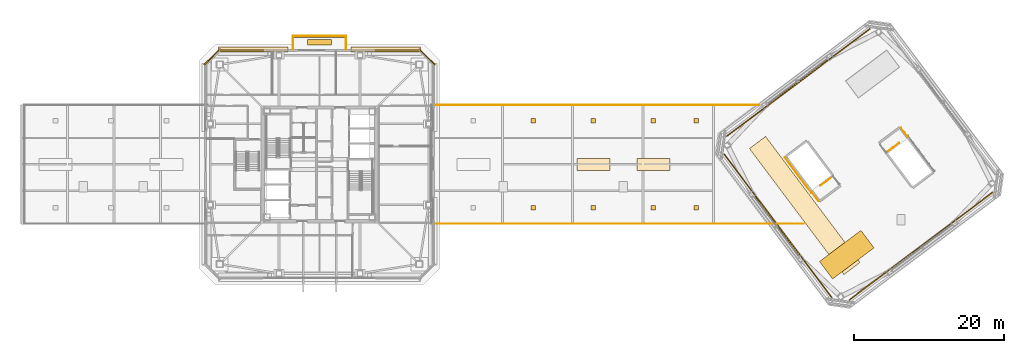
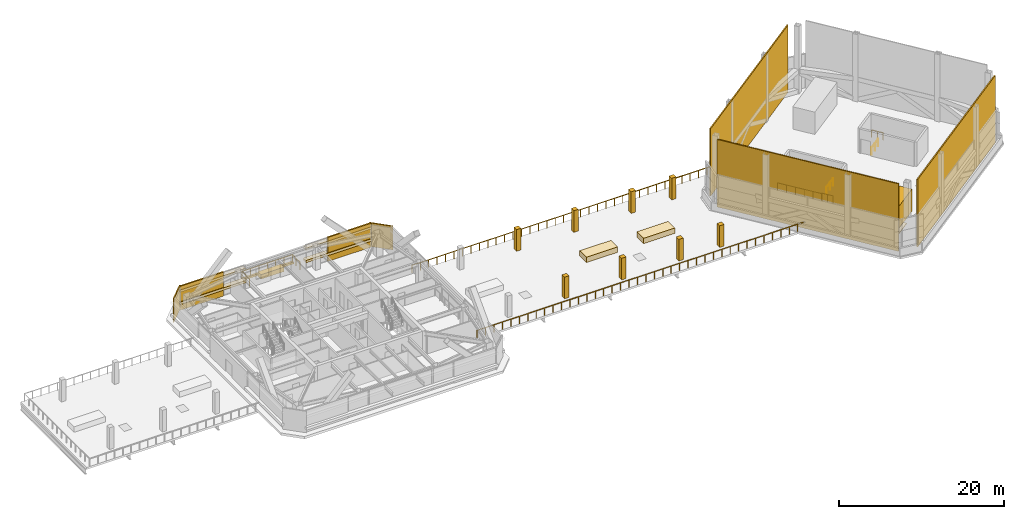
# One storey, part 35 of 37: 22 coverings, 10 railings, 3 shading devices.
"""IFC4 building model written with IfcOpenShell, lengths in metres."""

from ifc_helpers import new_model, si_unit, direction, frame, origin, origin_2d, place, context, subcontext, project, spatial, polyline, rectangle, outline, extrude, material, layer, layer_set, type_object, element, save


model = new_model("IFC4")

# Units and contexts
model_context = context("Model", 3, precision=1e-05, world=origin(), true_north=direction((0.0, 1.0)))
body_context = subcontext(model_context, "Body", "Model", "MODEL_VIEW")
ifc_project = project(units=[si_unit("LENGTHUNIT", "METRE"), si_unit("AREAUNIT", "SQUARE_METRE"), si_unit("VOLUMEUNIT", "CUBIC_METRE"), si_unit("PLANEANGLEUNIT", "RADIAN"), si_unit("MASSUNIT", "GRAM", prefix="KILO")], contexts=[model_context])

# Site, building, storey
site_placement = place(None, origin())
site = spatial("IfcSite", under=ifc_project, at=site_placement, CompositionType="ELEMENT")
building_placement = place(site_placement, origin())
building = spatial("IfcBuilding", under=site, at=building_placement, Name="Tashvorn Skyway Center", CompositionType="ELEMENT")
storey_placement = place(building_placement, frame((0.0, 0.0, 263.39990234375)))
storey = spatial("IfcBuildingStorey", under=building, at=storey_placement, Name="L71", CompositionType="ELEMENT", Elevation=263.39990234375)

# Coverings
ifc_material_1 = material(Name="Precast concrete C40/50", Category="concrete")
ifc_layer_1 = layer(ifc_material_1, 0.199951171875)
ifc_layer_set_1 = layer_set([ifc_layer_1], Name="Precast concrete C40/50")
covering_type_1 = type_object("IfcCoveringType", Name="COV-BRACE-CLAD", PredefinedType="CLADDING", material=ifc_layer_set_1)
for number, where, z_axis, x_axis, name in (
    (1, (31.663330078125, 47.179931640625, 0.0), (0.0, 0.0, 1.0), (1.0, 0.0, 0.0), "Tower 1 L71 North Curtain Wall L Mega-Brace Cladding Band 1"),
    (2, (52.336669921875, 47.179931640625, 0.0), (0.0, 0.0, 1.0), (1.0, 0.0, 0.0), "Tower 1 L71 North Curtain Wall R Mega-Brace Cladding Band 1"),
):
    element("IfcCovering", number, at=place(storey_placement, frame(where, z_axis=z_axis, x_axis=x_axis)), inside=storey, type_object=covering_type_1, Name=name, PredefinedType="CLADDING", context=body_context, shape_type="SweptSolid", body=[
        extrude(rectangle(XDim=6.086669921875, YDim=0.199951171875, at=origin_2d()), origin(), (0.0, 0.0, 1.0), 3.550048828125),
    ])
ifc_layer_2 = layer(ifc_material_1, 0.050048828125)
ifc_layer_set_2 = layer_set([ifc_layer_2], Name="Precast concrete C40/50")
covering_type_2 = type_object("IfcCoveringType", Name="COV-CLAD-50", PredefinedType="CLADDING", material=ifc_layer_set_2)
covering_1_placement = place(storey_placement, frame((112.280029296875, 19.9599609375, 0.0), z_axis=(0.0, 0.0, 1.0), x_axis=(0.799999996291, 0.600000004945, 0.0)))
element("IfcCovering", 3, at=covering_1_placement, inside=storey, type_object=covering_type_2, Name="Tower 2 Crown Chiller Acoustic Enclosure 1", PredefinedType="CLADDING", context=body_context, shape_type="SweptSolid", body=[
    extrude(rectangle(XDim=6.89990234375, YDim=2.89990234375, at=origin_2d()), origin(), (0.0, 0.0, 1.0), 3.300048828125),
])
ifc_material_2 = material(Name="Inverted EPDM membrane and extruded polystyrene insulation")
ifc_layer_3 = layer(ifc_material_2, 0.080078125)
ifc_layer_set_3 = layer_set([ifc_layer_3], Name="Inverted EPDM membrane and extruded polystyrene insulation")
covering_type_3 = type_object("IfcCoveringType", Name="COV-ROOF-80", PredefinedType="ROOFING", material=ifc_layer_set_3)
covering_2_placement = place(storey_placement, origin())
element("IfcCovering", 4, at=covering_2_placement, inside=storey, type_object=covering_type_3, Name="Tower 2 Main Roof Insulated Membrane", PredefinedType="ROOFING", context=body_context, shape_type="SweptSolid", body=[
    extrude(outline(polyline([(111.89990234375, 17.300048828125), (114.06005859375, 18.919921875), (101.4599609375, 35.719970703125), (99.300048828125, 34.10009765625), (111.89990234375, 17.300048828125)])), origin(), (0.0, 0.0, 1.0), 0.080078125),
])
ifc_material_3 = material(Name="Perforated ceramic-coated bronze aluminium solar screen", Category="aluminium")
ifc_layer_4 = layer(ifc_material_3, 0.85009765625)
ifc_layer_set_4 = layer_set([ifc_layer_4], Name="Perforated ceramic-coated bronze aluminium solar screen")
covering_type_4 = type_object("IfcCoveringType", Name="COV-SOLAR-BAND", PredefinedType="CLADDING", material=ifc_layer_set_4)
for number, where, z_axis, x_axis, name in (
    (5, (33.18505859375, 47.320068359375, 0.919921875), (0.0, 0.0, 1.0), (1.0, 0.0, 0.0), "L71 Perforated Ceramic-Metal Solar Screen Louvre Band North 1"),
    (6, (33.18505859375, 47.320068359375, 2.72021484375), (0.0, 0.0, 1.0), (1.0, 0.0, 0.0), "L71 Perforated Ceramic-Metal Solar Screen Louvre Band North 2"),
    (7, (50.81494140625, 47.320068359375, 0.919921875), (0.0, 0.0, 1.0), (1.0, 0.0, 0.0), "L71 Perforated Ceramic-Metal Solar Screen Louvre Band North 1"),
    (8, (50.81494140625, 47.320068359375, 2.72021484375), (0.0, 0.0, 1.0), (1.0, 0.0, 0.0), "L71 Perforated Ceramic-Metal Solar Screen Louvre Band North 2"),
):
    element("IfcCovering", number, at=place(storey_placement, frame(where, z_axis=z_axis, x_axis=x_axis)), inside=storey, type_object=covering_type_4, Name=name, PredefinedType="CLADDING", context=body_context, shape_type="SweptSolid", body=[
        extrude(rectangle(XDim=9.25, YDim=0.639892578125, at=origin_2d()), origin(), (0.0, 0.0, 1.0), 0.360107421875),
    ])
ifc_layer_5 = layer(ifc_material_1, 0.35009765625)
ifc_layer_set_5 = layer_set([ifc_layer_5], Name="Precast concrete C40/50")
covering_type_5 = type_object("IfcCoveringType", Name="COV-STONE-TRIM", PredefinedType="CLADDING", material=ifc_layer_set_5)
covering_3_placement = place(storey_placement, frame((42.0, 49.06005859375, -0.16015625), z_axis=(0.0, 0.0, 1.0), x_axis=(1.0, 0.0, 0.0)))
element("IfcCovering", 9, at=covering_3_placement, inside=storey, type_object=covering_type_5, Name="Tower 1 L71 Spiral Terrace Terracotta Fascia", PredefinedType="CLADDING", context=body_context, shape_type="SweptSolid", body=[
    extrude(rectangle(XDim=7.199951171875, YDim=0.280029296875, at=origin_2d()), origin(), (0.0, 0.0, 1.0), 0.280029296875),
])
covering_4_placement = place(storey_placement, frame((42.0, 48.25, 0.0), z_axis=(0.0, 0.0, 1.0), x_axis=(1.0, 0.0, 0.0)))
element("IfcCovering", 10, at=covering_4_placement, inside=storey, type_object=covering_type_5, Name="Tower 1 L71 Spiral Terrace Planter", PredefinedType="CLADDING", context=body_context, shape_type="SweptSolid", body=[
    extrude(rectangle(XDim=3.199951171875, YDim=0.75, at=origin_2d()), origin(), (0.0, 0.0, 1.0), 0.679931640625),
])
for number, where, z_axis, x_axis, name in (
    (11, (27.679931640625, 46.320068359375, 0.02001953125), (0.0, 0.0, 1.0), (-0.707106781187, -0.707106781187, 0.0), "Tower 1 L71 NW Mojave Limestone Corner Quoin"),
    (12, (56.320068359375, 46.320068359375, 0.02001953125), (0.0, 0.0, 1.0), (0.707106781187, -0.707106781187, 0.0), "Tower 1 L71 NE Mojave Limestone Corner Quoin"),
):
    element("IfcCovering", number, at=place(storey_placement, frame(where, z_axis=z_axis, x_axis=x_axis)), inside=storey, type_object=covering_type_5, Name=name, PredefinedType="CLADDING", context=body_context, shape_type="SweptSolid", body=[
        extrude(rectangle(XDim=2.98828125, YDim=0.139892578125, at=origin_2d()), origin(), (0.0, 0.0, 1.0), 3.510009765625),
    ])
for number, where, z_axis, x_axis, name in (
    (13, (70.5, 26.199951171875, 0.0), (0.0, 0.0, 1.0), (1.0, 0.0, 0.0), "Sky-Park Promenade Pergola Stone Column Cladding 5-1"),
    (14, (70.5, 37.800048828125, 0.0), (0.0, 0.0, 1.0), (1.0, 0.0, 0.0), "Sky-Park Promenade Pergola Stone Column Cladding 5-2"),
    (15, (78.5, 26.199951171875, 0.0), (0.0, 0.0, 1.0), (1.0, 0.0, 0.0), "Sky-Park Promenade Pergola Stone Column Cladding 6-1"),
    (16, (78.5, 37.800048828125, 0.0), (0.0, 0.0, 1.0), (1.0, 0.0, 0.0), "Sky-Park Promenade Pergola Stone Column Cladding 6-2"),
):
    element("IfcCovering", number, at=place(storey_placement, frame(where, z_axis=z_axis, x_axis=x_axis)), inside=storey, type_object=covering_type_5, Name=name, PredefinedType="CLADDING", context=body_context, shape_type="SweptSolid", body=[
        extrude(rectangle(XDim=0.6201171875, YDim=0.6201171875, at=origin_2d()), origin(), (0.0, 0.0, 1.0), 3.199951171875),
    ])
covering_5_placement = place(storey_placement, frame((78.5, 32.0, 0.0), z_axis=(0.0, 0.0, 1.0), x_axis=(1.0, 0.0, 0.0)))
element("IfcCovering", 17, at=covering_5_placement, inside=storey, type_object=covering_type_5, Name="Sky-Park Promenade Xeriscape Planter Bed 6", PredefinedType="CLADDING", context=body_context, shape_type="SweptSolid", body=[
    extrude(rectangle(XDim=4.39990234375, YDim=1.60009765625, at=origin_2d()), origin(), (0.0, 0.0, 1.0), 0.800048828125),
])
for number, where, z_axis, x_axis, name in (
    (18, (86.5, 26.199951171875, 0.0), (0.0, 0.0, 1.0), (1.0, 0.0, 0.0), "Sky-Park Promenade Pergola Stone Column Cladding 7-1"),
    (19, (86.5, 37.800048828125, 0.0), (0.0, 0.0, 1.0), (1.0, 0.0, 0.0), "Sky-Park Promenade Pergola Stone Column Cladding 7-2"),
):
    element("IfcCovering", number, at=place(storey_placement, frame(where, z_axis=z_axis, x_axis=x_axis)), inside=storey, type_object=covering_type_5, Name=name, PredefinedType="CLADDING", context=body_context, shape_type="SweptSolid", body=[
        extrude(rectangle(XDim=0.6201171875, YDim=0.6201171875, at=origin_2d()), origin(), (0.0, 0.0, 1.0), 3.199951171875),
    ])
covering_6_placement = place(storey_placement, frame((86.5, 32.0, 0.0), z_axis=(0.0, 0.0, 1.0), x_axis=(1.0, 0.0, 0.0)))
element("IfcCovering", 20, at=covering_6_placement, inside=storey, type_object=covering_type_5, Name="Sky-Park Promenade Xeriscape Planter Bed 7", PredefinedType="CLADDING", context=body_context, shape_type="SweptSolid", body=[
    extrude(rectangle(XDim=4.39990234375, YDim=1.60009765625, at=origin_2d()), origin(), (0.0, 0.0, 1.0), 0.800048828125),
])
for number, where, z_axis, x_axis, name in (
    (21, (92.199951171875, 26.199951171875, 0.0), (0.0, 0.0, 1.0), (1.0, 0.0, 0.0), "Sky-Park Promenade Pergola Stone Column Cladding 8-1"),
    (22, (92.199951171875, 37.800048828125, 0.0), (0.0, 0.0, 1.0), (1.0, 0.0, 0.0), "Sky-Park Promenade Pergola Stone Column Cladding 8-2"),
):
    element("IfcCovering", number, at=place(storey_placement, frame(where, z_axis=z_axis, x_axis=x_axis)), inside=storey, type_object=covering_type_5, Name=name, PredefinedType="CLADDING", context=body_context, shape_type="SweptSolid", body=[
        extrude(rectangle(XDim=0.6201171875, YDim=0.6201171875, at=origin_2d()), origin(), (0.0, 0.0, 1.0), 3.199951171875),
    ])

# Railings
ifc_material_4 = material(Name="Galvanized steel S355", Category="steel")
railing_type_1 = type_object("IfcRailingType", Name="RAIL-GUARD-1120", PredefinedType="GUARDRAIL", material=ifc_material_4)
railing_1_placement = place(storey_placement, frame((38.47998046875, 47.300048828125, 0.0)))
element("IfcRailing", 23, at=railing_1_placement, inside=storey, type_object=railing_type_1, Name="L71 Tower 1 Terrace Guardrail 01", PredefinedType="GUARDRAIL", context=body_context, shape_type="SweptSolid", body=[
    extrude(rectangle(XDim=0.048095703125, YDim=0.048095703125, at=origin_2d()), frame((0.0, 0.0, 1.09619140625), z_axis=(0.0, 1.0, 0.0), x_axis=(-1.0, 0.0, 0.0)), (0.0, 0.0, 1.0), 1.820068359375),
    extrude(rectangle(XDim=0.0419921875, YDim=0.0419921875, at=origin_2d()), origin(), (0.0, 0.0, 1.0), 1.072021484375),
    extrude(rectangle(XDim=0.0419921875, YDim=0.0419921875, at=origin_2d()), frame((0.0, 0.91015625, 0.0)), (0.0, 0.0, 1.0), 1.072021484375),
    extrude(rectangle(XDim=0.0419921875, YDim=0.0419921875, at=origin_2d()), frame((0.0, 1.820068359375, 0.0)), (0.0, 0.0, 1.0), 1.072021484375),
])
railing_2_placement = place(storey_placement, frame((38.47998046875, 49.1201171875, 0.0)))
element("IfcRailing", 24, at=railing_2_placement, inside=storey, type_object=railing_type_1, Name="L71 Tower 1 Terrace Guardrail 02", PredefinedType="GUARDRAIL", context=body_context, shape_type="SweptSolid", body=[
    extrude(rectangle(XDim=0.048095703125, YDim=0.048095703125, at=origin_2d()), frame((0.0, 0.0, 1.09619140625), z_axis=(1.0, 0.0, 0.0), x_axis=(0.0, 1.0, 0.0)), (0.0, 0.0, 1.0), 7.0400390625),
    extrude(rectangle(XDim=0.0419921875, YDim=0.0419921875, at=origin_2d()), origin(), (0.0, 0.0, 1.0), 1.072021484375),
    extrude(rectangle(XDim=0.0419921875, YDim=0.0419921875, at=origin_2d()), frame((1.17333984375, 0.0, 0.0)), (0.0, 0.0, 1.0), 1.072021484375),
    extrude(rectangle(XDim=0.0419921875, YDim=0.0419921875, at=origin_2d()), frame((2.3466796875, 0.0, 0.0)), (0.0, 0.0, 1.0), 1.072021484375),
    extrude(rectangle(XDim=0.0419921875, YDim=0.0419921875, at=origin_2d()), frame((3.52001953125, 0.0, 0.0)), (0.0, 0.0, 1.0), 1.072021484375),
    extrude(rectangle(XDim=0.0419921875, YDim=0.0419921875, at=origin_2d()), frame((4.693359375, 0.0, 0.0)), (0.0, 0.0, 1.0), 1.072021484375),
    extrude(rectangle(XDim=0.0419921875, YDim=0.0419921875, at=origin_2d()), frame((5.86669921875, 0.0, 0.0)), (0.0, 0.0, 1.0), 1.072021484375),
    extrude(rectangle(XDim=0.0419921875, YDim=0.0419921875, at=origin_2d()), frame((7.0400390625, 0.0, 0.0)), (0.0, 0.0, 1.0), 1.072021484375),
])
railing_3_placement = place(storey_placement, frame((45.52001953125, 49.1201171875, 0.0)))
element("IfcRailing", 25, at=railing_3_placement, inside=storey, type_object=railing_type_1, Name="L71 Tower 1 Terrace Guardrail 03", PredefinedType="GUARDRAIL", context=body_context, shape_type="SweptSolid", body=[
    extrude(rectangle(XDim=0.048095703125, YDim=0.048095703125, at=origin_2d()), frame((0.0, 0.0, 1.09619140625), z_axis=(0.0, -1.0, 0.0), x_axis=(1.0, 0.0, 0.0)), (0.0, 0.0, 1.0), 1.820068359375),
    extrude(rectangle(XDim=0.0419921875, YDim=0.0419921875, at=origin_2d()), origin(), (0.0, 0.0, 1.0), 1.072021484375),
    extrude(rectangle(XDim=0.0419921875, YDim=0.0419921875, at=origin_2d()), frame((0.0, -0.91015625, 0.0)), (0.0, 0.0, 1.0), 1.072021484375),
    extrude(rectangle(XDim=0.0419921875, YDim=0.0419921875, at=origin_2d()), frame((0.0, -1.820068359375, 0.0)), (0.0, 0.0, 1.0), 1.072021484375),
])
railing_4_placement = place(storey_placement, frame((106.5, 24.080078125, 0.0)))
element("IfcRailing", 26, at=railing_4_placement, inside=storey, type_object=railing_type_1, Name="L71 Sky-Park East Promenade Balustrade 01", PredefinedType="GUARDRAIL", context=body_context, shape_type="SweptSolid", body=[
    extrude(rectangle(XDim=0.048095703125, YDim=0.048095703125, at=origin_2d()), frame((0.0, 0.0, 1.09619140625), z_axis=(-1.0, 0.0, 0.0), x_axis=(0.0, -1.0, 0.0)), (0.0, 0.0, 1.0), 49.580078125),
    extrude(rectangle(XDim=0.0419921875, YDim=0.0419921875, at=origin_2d()), origin(), (0.0, 0.0, 1.0), 1.072021484375),
    extrude(rectangle(XDim=0.0419921875, YDim=0.0419921875, at=origin_2d()), frame((-1.180419921875, 0.0, 0.0)), (0.0, 0.0, 1.0), 1.072021484375),
    extrude(rectangle(XDim=0.0419921875, YDim=0.0419921875, at=origin_2d()), frame((-2.36083984375, 0.0, 0.0)), (0.0, 0.0, 1.0), 1.072021484375),
    extrude(rectangle(XDim=0.0419921875, YDim=0.0419921875, at=origin_2d()), frame((-3.54150390625, 0.0, 0.0)), (0.0, 0.0, 1.0), 1.072021484375),
    extrude(rectangle(XDim=0.0419921875, YDim=0.0419921875, at=origin_2d()), frame((-4.721923828125, 0.0, 0.0)), (0.0, 0.0, 1.0), 1.072021484375),
    extrude(rectangle(XDim=0.0419921875, YDim=0.0419921875, at=origin_2d()), frame((-5.90234375, 0.0, 0.0)), (0.0, 0.0, 1.0), 1.072021484375),
    extrude(rectangle(XDim=0.0419921875, YDim=0.0419921875, at=origin_2d()), frame((-7.082763671875, 0.0, 0.0)), (0.0, 0.0, 1.0), 1.072021484375),
    extrude(rectangle(XDim=0.0419921875, YDim=0.0419921875, at=origin_2d()), frame((-8.263427734375, 0.0, 0.0)), (0.0, 0.0, 1.0), 1.072021484375),
    extrude(rectangle(XDim=0.0419921875, YDim=0.0419921875, at=origin_2d()), frame((-9.44384765625, 0.0, 0.0)), (0.0, 0.0, 1.0), 1.072021484375),
    extrude(rectangle(XDim=0.0419921875, YDim=0.0419921875, at=origin_2d()), frame((-10.624267578125, 0.0, 0.0)), (0.0, 0.0, 1.0), 1.072021484375),
    extrude(rectangle(XDim=0.0419921875, YDim=0.0419921875, at=origin_2d()), frame((-11.8046875, 0.0, 0.0)), (0.0, 0.0, 1.0), 1.072021484375),
    extrude(rectangle(XDim=0.0419921875, YDim=0.0419921875, at=origin_2d()), frame((-12.9853515625, 0.0, 0.0)), (0.0, 0.0, 1.0), 1.072021484375),
    extrude(rectangle(XDim=0.0419921875, YDim=0.0419921875, at=origin_2d()), frame((-14.165771484375, 0.0, 0.0)), (0.0, 0.0, 1.0), 1.072021484375),
    extrude(rectangle(XDim=0.0419921875, YDim=0.0419921875, at=origin_2d()), frame((-15.34619140625, 0.0, 0.0)), (0.0, 0.0, 1.0), 1.072021484375),
    extrude(rectangle(XDim=0.0419921875, YDim=0.0419921875, at=origin_2d()), frame((-16.526611328125, 0.0, 0.0)), (0.0, 0.0, 1.0), 1.072021484375),
    extrude(rectangle(XDim=0.0419921875, YDim=0.0419921875, at=origin_2d()), frame((-17.707275390625, 0.0, 0.0)), (0.0, 0.0, 1.0), 1.072021484375),
    extrude(rectangle(XDim=0.0419921875, YDim=0.0419921875, at=origin_2d()), frame((-18.8876953125, 0.0, 0.0)), (0.0, 0.0, 1.0), 1.072021484375),
    extrude(rectangle(XDim=0.0419921875, YDim=0.0419921875, at=origin_2d()), frame((-20.068115234375, 0.0, 0.0)), (0.0, 0.0, 1.0), 1.072021484375),
    extrude(rectangle(XDim=0.0419921875, YDim=0.0419921875, at=origin_2d()), frame((-21.24853515625, 0.0, 0.0)), (0.0, 0.0, 1.0), 1.072021484375),
    extrude(rectangle(XDim=0.0419921875, YDim=0.0419921875, at=origin_2d()), frame((-22.42919921875, 0.0, 0.0)), (0.0, 0.0, 1.0), 1.072021484375),
    extrude(rectangle(XDim=0.0419921875, YDim=0.0419921875, at=origin_2d()), frame((-23.609619140625, 0.0, 0.0)), (0.0, 0.0, 1.0), 1.072021484375),
    extrude(rectangle(XDim=0.0419921875, YDim=0.0419921875, at=origin_2d()), frame((-24.7900390625, 0.0, 0.0)), (0.0, 0.0, 1.0), 1.072021484375),
    extrude(rectangle(XDim=0.0419921875, YDim=0.0419921875, at=origin_2d()), frame((-25.970458984375, 0.0, 0.0)), (0.0, 0.0, 1.0), 1.072021484375),
    extrude(rectangle(XDim=0.0419921875, YDim=0.0419921875, at=origin_2d()), frame((-27.15087890625, 0.0, 0.0)), (0.0, 0.0, 1.0), 1.072021484375),
    extrude(rectangle(XDim=0.0419921875, YDim=0.0419921875, at=origin_2d()), frame((-28.33154296875, 0.0, 0.0)), (0.0, 0.0, 1.0), 1.072021484375),
    extrude(rectangle(XDim=0.0419921875, YDim=0.0419921875, at=origin_2d()), frame((-29.511962890625, 0.0, 0.0)), (0.0, 0.0, 1.0), 1.072021484375),
    extrude(rectangle(XDim=0.0419921875, YDim=0.0419921875, at=origin_2d()), frame((-30.6923828125, 0.0, 0.0)), (0.0, 0.0, 1.0), 1.072021484375),
    extrude(rectangle(XDim=0.0419921875, YDim=0.0419921875, at=origin_2d()), frame((-31.872802734375, 0.0, 0.0)), (0.0, 0.0, 1.0), 1.072021484375),
    extrude(rectangle(XDim=0.0419921875, YDim=0.0419921875, at=origin_2d()), frame((-33.053466796875, 0.0, 0.0)), (0.0, 0.0, 1.0), 1.072021484375),
    extrude(rectangle(XDim=0.0419921875, YDim=0.0419921875, at=origin_2d()), frame((-34.23388671875, 0.0, 0.0)), (0.0, 0.0, 1.0), 1.072021484375),
    extrude(rectangle(XDim=0.0419921875, YDim=0.0419921875, at=origin_2d()), frame((-35.414306640625, 0.0, 0.0)), (0.0, 0.0, 1.0), 1.072021484375),
    extrude(rectangle(XDim=0.0419921875, YDim=0.0419921875, at=origin_2d()), frame((-36.5947265625, 0.0, 0.0)), (0.0, 0.0, 1.0), 1.072021484375),
    extrude(rectangle(XDim=0.0419921875, YDim=0.0419921875, at=origin_2d()), frame((-37.775390625, 0.0, 0.0)), (0.0, 0.0, 1.0), 1.072021484375),
    extrude(rectangle(XDim=0.0419921875, YDim=0.0419921875, at=origin_2d()), frame((-38.955810546875, 0.0, 0.0)), (0.0, 0.0, 1.0), 1.072021484375),
    extrude(rectangle(XDim=0.0419921875, YDim=0.0419921875, at=origin_2d()), frame((-40.13623046875, 0.0, 0.0)), (0.0, 0.0, 1.0), 1.072021484375),
    extrude(rectangle(XDim=0.0419921875, YDim=0.0419921875, at=origin_2d()), frame((-41.316650390625, 0.0, 0.0)), (0.0, 0.0, 1.0), 1.072021484375),
    extrude(rectangle(XDim=0.0419921875, YDim=0.0419921875, at=origin_2d()), frame((-42.497314453125, 0.0, 0.0)), (0.0, 0.0, 1.0), 1.072021484375),
    extrude(rectangle(XDim=0.0419921875, YDim=0.0419921875, at=origin_2d()), frame((-43.677734375, 0.0, 0.0)), (0.0, 0.0, 1.0), 1.072021484375),
    extrude(rectangle(XDim=0.0419921875, YDim=0.0419921875, at=origin_2d()), frame((-44.858154296875, 0.0, 0.0)), (0.0, 0.0, 1.0), 1.072021484375),
    extrude(rectangle(XDim=0.0419921875, YDim=0.0419921875, at=origin_2d()), frame((-46.03857421875, 0.0, 0.0)), (0.0, 0.0, 1.0), 1.072021484375),
    extrude(rectangle(XDim=0.0419921875, YDim=0.0419921875, at=origin_2d()), frame((-47.21923828125, 0.0, 0.0)), (0.0, 0.0, 1.0), 1.072021484375),
    extrude(rectangle(XDim=0.0419921875, YDim=0.0419921875, at=origin_2d()), frame((-48.399658203125, 0.0, 0.0)), (0.0, 0.0, 1.0), 1.072021484375),
    extrude(rectangle(XDim=0.0419921875, YDim=0.0419921875, at=origin_2d()), frame((-49.580078125, 0.0, 0.0)), (0.0, 0.0, 1.0), 1.072021484375),
])
railing_5_placement = place(storey_placement, frame((56.919921875, 39.919921875, 0.0)))
element("IfcRailing", 27, at=railing_5_placement, inside=storey, type_object=railing_type_1, Name="L71 Sky-Park East Promenade Balustrade 03", PredefinedType="GUARDRAIL", context=body_context, shape_type="SweptSolid", body=[
    extrude(rectangle(XDim=0.048095703125, YDim=0.048095703125, at=origin_2d()), frame((0.0, 0.0, 1.09619140625), z_axis=(1.0, 0.0, 0.0), x_axis=(0.0, 1.0, 0.0)), (0.0, 0.0, 1.0), 43.68017578125),
    extrude(rectangle(XDim=0.0419921875, YDim=0.0419921875, at=origin_2d()), origin(), (0.0, 0.0, 1.0), 1.072021484375),
    extrude(rectangle(XDim=0.0419921875, YDim=0.0419921875, at=origin_2d()), frame((1.1806640625, 0.0, 0.0)), (0.0, 0.0, 1.0), 1.072021484375),
    extrude(rectangle(XDim=0.0419921875, YDim=0.0419921875, at=origin_2d()), frame((2.361083984375, 0.0, 0.0)), (0.0, 0.0, 1.0), 1.072021484375),
    extrude(rectangle(XDim=0.0419921875, YDim=0.0419921875, at=origin_2d()), frame((3.541748046875, 0.0, 0.0)), (0.0, 0.0, 1.0), 1.072021484375),
    extrude(rectangle(XDim=0.0419921875, YDim=0.0419921875, at=origin_2d()), frame((4.72216796875, 0.0, 0.0)), (0.0, 0.0, 1.0), 1.072021484375),
    extrude(rectangle(XDim=0.0419921875, YDim=0.0419921875, at=origin_2d()), frame((5.90283203125, 0.0, 0.0)), (0.0, 0.0, 1.0), 1.072021484375),
    extrude(rectangle(XDim=0.0419921875, YDim=0.0419921875, at=origin_2d()), frame((7.083251953125, 0.0, 0.0)), (0.0, 0.0, 1.0), 1.072021484375),
    extrude(rectangle(XDim=0.0419921875, YDim=0.0419921875, at=origin_2d()), frame((8.263916015625, 0.0, 0.0)), (0.0, 0.0, 1.0), 1.072021484375),
    extrude(rectangle(XDim=0.0419921875, YDim=0.0419921875, at=origin_2d()), frame((9.4443359375, 0.0, 0.0)), (0.0, 0.0, 1.0), 1.072021484375),
    extrude(rectangle(XDim=0.0419921875, YDim=0.0419921875, at=origin_2d()), frame((10.625, 0.0, 0.0)), (0.0, 0.0, 1.0), 1.072021484375),
    extrude(rectangle(XDim=0.0419921875, YDim=0.0419921875, at=origin_2d()), frame((11.805419921875, 0.0, 0.0)), (0.0, 0.0, 1.0), 1.072021484375),
    extrude(rectangle(XDim=0.0419921875, YDim=0.0419921875, at=origin_2d()), frame((12.986083984375, 0.0, 0.0)), (0.0, 0.0, 1.0), 1.072021484375),
    extrude(rectangle(XDim=0.0419921875, YDim=0.0419921875, at=origin_2d()), frame((14.16650390625, 0.0, 0.0)), (0.0, 0.0, 1.0), 1.072021484375),
    extrude(rectangle(XDim=0.0419921875, YDim=0.0419921875, at=origin_2d()), frame((15.34716796875, 0.0, 0.0)), (0.0, 0.0, 1.0), 1.072021484375),
    extrude(rectangle(XDim=0.0419921875, YDim=0.0419921875, at=origin_2d()), frame((16.527587890625, 0.0, 0.0)), (0.0, 0.0, 1.0), 1.072021484375),
    extrude(rectangle(XDim=0.0419921875, YDim=0.0419921875, at=origin_2d()), frame((17.708251953125, 0.0, 0.0)), (0.0, 0.0, 1.0), 1.072021484375),
    extrude(rectangle(XDim=0.0419921875, YDim=0.0419921875, at=origin_2d()), frame((18.888671875, 0.0, 0.0)), (0.0, 0.0, 1.0), 1.072021484375),
    extrude(rectangle(XDim=0.0419921875, YDim=0.0419921875, at=origin_2d()), frame((20.0693359375, 0.0, 0.0)), (0.0, 0.0, 1.0), 1.072021484375),
    extrude(rectangle(XDim=0.0419921875, YDim=0.0419921875, at=origin_2d()), frame((21.249755859375, 0.0, 0.0)), (0.0, 0.0, 1.0), 1.072021484375),
    extrude(rectangle(XDim=0.0419921875, YDim=0.0419921875, at=origin_2d()), frame((22.430419921875, 0.0, 0.0)), (0.0, 0.0, 1.0), 1.072021484375),
    extrude(rectangle(XDim=0.0419921875, YDim=0.0419921875, at=origin_2d()), frame((23.61083984375, 0.0, 0.0)), (0.0, 0.0, 1.0), 1.072021484375),
    extrude(rectangle(XDim=0.0419921875, YDim=0.0419921875, at=origin_2d()), frame((24.79150390625, 0.0, 0.0)), (0.0, 0.0, 1.0), 1.072021484375),
    extrude(rectangle(XDim=0.0419921875, YDim=0.0419921875, at=origin_2d()), frame((25.971923828125, 0.0, 0.0)), (0.0, 0.0, 1.0), 1.072021484375),
    extrude(rectangle(XDim=0.0419921875, YDim=0.0419921875, at=origin_2d()), frame((27.152587890625, 0.0, 0.0)), (0.0, 0.0, 1.0), 1.072021484375),
    extrude(rectangle(XDim=0.0419921875, YDim=0.0419921875, at=origin_2d()), frame((28.3330078125, 0.0, 0.0)), (0.0, 0.0, 1.0), 1.072021484375),
    extrude(rectangle(XDim=0.0419921875, YDim=0.0419921875, at=origin_2d()), frame((29.513671875, 0.0, 0.0)), (0.0, 0.0, 1.0), 1.072021484375),
    extrude(rectangle(XDim=0.0419921875, YDim=0.0419921875, at=origin_2d()), frame((30.694091796875, 0.0, 0.0)), (0.0, 0.0, 1.0), 1.072021484375),
    extrude(rectangle(XDim=0.0419921875, YDim=0.0419921875, at=origin_2d()), frame((31.874755859375, 0.0, 0.0)), (0.0, 0.0, 1.0), 1.072021484375),
    extrude(rectangle(XDim=0.0419921875, YDim=0.0419921875, at=origin_2d()), frame((33.05517578125, 0.0, 0.0)), (0.0, 0.0, 1.0), 1.072021484375),
    extrude(rectangle(XDim=0.0419921875, YDim=0.0419921875, at=origin_2d()), frame((34.23583984375, 0.0, 0.0)), (0.0, 0.0, 1.0), 1.072021484375),
    extrude(rectangle(XDim=0.0419921875, YDim=0.0419921875, at=origin_2d()), frame((35.416259765625, 0.0, 0.0)), (0.0, 0.0, 1.0), 1.072021484375),
    extrude(rectangle(XDim=0.0419921875, YDim=0.0419921875, at=origin_2d()), frame((36.596923828125, 0.0, 0.0)), (0.0, 0.0, 1.0), 1.072021484375),
    extrude(rectangle(XDim=0.0419921875, YDim=0.0419921875, at=origin_2d()), frame((37.77734375, 0.0, 0.0)), (0.0, 0.0, 1.0), 1.072021484375),
    extrude(rectangle(XDim=0.0419921875, YDim=0.0419921875, at=origin_2d()), frame((38.9580078125, 0.0, 0.0)), (0.0, 0.0, 1.0), 1.072021484375),
    extrude(rectangle(XDim=0.0419921875, YDim=0.0419921875, at=origin_2d()), frame((40.138427734375, 0.0, 0.0)), (0.0, 0.0, 1.0), 1.072021484375),
    extrude(rectangle(XDim=0.0419921875, YDim=0.0419921875, at=origin_2d()), frame((41.319091796875, 0.0, 0.0)), (0.0, 0.0, 1.0), 1.072021484375),
    extrude(rectangle(XDim=0.0419921875, YDim=0.0419921875, at=origin_2d()), frame((42.49951171875, 0.0, 0.0)), (0.0, 0.0, 1.0), 1.072021484375),
    extrude(rectangle(XDim=0.0419921875, YDim=0.0419921875, at=origin_2d()), frame((43.68017578125, 0.0, 0.0)), (0.0, 0.0, 1.0), 1.072021484375),
])
ifc_material_5 = material(Name="Painted galvanized steel S355", Category="steel")
railing_type_2 = type_object("IfcRailingType", Name="RAIL-STGUARD-1100", PredefinedType="GUARDRAIL", material=ifc_material_5)
railing_6_placement = place(storey_placement, frame((110.35791015625, 30.35595703125, 0.0)))
element("IfcRailing", 28, at=railing_6_placement, inside=storey, type_object=railing_type_2, Name="L71 ST-T2-1 top well guard 1", PredefinedType="GUARDRAIL", context=body_context, shape_type="SweptSolid", body=[
    extrude(rectangle(XDim=0.048095703125, YDim=0.048095703125, at=origin_2d()), frame((0.0, 0.0, 1.076171875), z_axis=(-0.8, -0.6, 0.0), x_axis=(0.6, -0.8, 0.0)), (0.0, 0.0, 1.0), 1.97998046875),
    extrude(rectangle(XDim=0.0419921875, YDim=0.0419921875, at=origin_2d()), origin(), (0.0, 0.0, 1.0), 1.052001953125),
    extrude(rectangle(XDim=0.0419921875, YDim=0.0419921875, at=origin_2d()), frame((-0.7919921875, -0.593994140625, 0.0)), (0.0, 0.0, 1.0), 1.052001953125),
    extrude(rectangle(XDim=0.0419921875, YDim=0.0419921875, at=origin_2d()), frame((-1.583984375, -1.18798828125, 0.0)), (0.0, 0.0, 1.0), 1.052001953125),
])
railing_7_placement = place(storey_placement, frame((107.56396484375, 28.197998046875, 0.0)))
element("IfcRailing", 29, at=railing_7_placement, inside=storey, type_object=railing_type_2, Name="L71 ST-T2-1 top well guard 2", PredefinedType="GUARDRAIL", context=body_context, shape_type="SweptSolid", body=[
    extrude(rectangle(XDim=0.048095703125, YDim=0.048095703125, at=origin_2d()), frame((0.0, 0.0, 1.076171875), z_axis=(-0.6, 0.8, 0.0), x_axis=(-0.8, -0.6, 0.0)), (0.0, 0.0, 1.0), 5.880126953125),
    extrude(rectangle(XDim=0.0419921875, YDim=0.0419921875, at=origin_2d()), origin(), (0.0, 0.0, 1.0), 1.052001953125),
    extrude(rectangle(XDim=0.0419921875, YDim=0.0419921875, at=origin_2d()), frame((-0.70556640625, 0.94091796875, 0.0)), (0.0, 0.0, 1.0), 1.052001953125),
    extrude(rectangle(XDim=0.0419921875, YDim=0.0419921875, at=origin_2d()), frame((-1.4111328125, 1.881591796875, 0.0)), (0.0, 0.0, 1.0), 1.052001953125),
    extrude(rectangle(XDim=0.0419921875, YDim=0.0419921875, at=origin_2d()), frame((-2.116943359375, 2.822509765625, 0.0)), (0.0, 0.0, 1.0), 1.052001953125),
    extrude(rectangle(XDim=0.0419921875, YDim=0.0419921875, at=origin_2d()), frame((-2.822509765625, 3.76318359375, 0.0)), (0.0, 0.0, 1.0), 1.052001953125),
    extrude(rectangle(XDim=0.0419921875, YDim=0.0419921875, at=origin_2d()), frame((-3.528076171875, 4.7041015625, 0.0)), (0.0, 0.0, 1.0), 1.052001953125),
])
railing_8_placement = place(storey_placement, frame((108.49609375, 27.1220703125, 0.0)))
element("IfcRailing", 30, at=railing_8_placement, inside=storey, type_object=railing_type_2, Name="L71 ST-T2-1 top well guard 3", PredefinedType="GUARDRAIL", context=body_context, shape_type="SweptSolid", body=[
    extrude(rectangle(XDim=0.048095703125, YDim=0.048095703125, at=origin_2d()), frame((0.0, 0.0, 1.076171875), z_axis=(-0.600102796382, 0.799922892393, 0.0), x_axis=(-0.799922892393, -0.600102796382, 0.0)), (0.0, 0.0, 1.0), 1.52001953125),
    extrude(rectangle(XDim=0.0419921875, YDim=0.0419921875, at=origin_2d()), origin(), (0.0, 0.0, 1.0), 1.052001953125),
    extrude(rectangle(XDim=0.0419921875, YDim=0.0419921875, at=origin_2d()), frame((-0.4560546875, 0.60791015625, 0.0)), (0.0, 0.0, 1.0), 1.052001953125),
    extrude(rectangle(XDim=0.0419921875, YDim=0.0419921875, at=origin_2d()), frame((-0.912109375, 1.2158203125, 0.0)), (0.0, 0.0, 1.0), 1.052001953125),
])
railing_9_placement = place(storey_placement, frame((117.64208984375, 33.64404296875, 0.0)))
element("IfcRailing", 31, at=railing_9_placement, inside=storey, type_object=railing_type_2, Name="L71 ST-T2-2 top well guard 1", PredefinedType="GUARDRAIL", context=body_context, shape_type="SweptSolid", body=[
    extrude(rectangle(XDim=0.048095703125, YDim=0.048095703125, at=origin_2d()), frame((0.0, 0.0, 1.076171875), z_axis=(0.8, 0.6, 0.0), x_axis=(-0.6, 0.8, 0.0)), (0.0, 0.0, 1.0), 1.97998046875),
    extrude(rectangle(XDim=0.0419921875, YDim=0.0419921875, at=origin_2d()), origin(), (0.0, 0.0, 1.0), 1.052001953125),
    extrude(rectangle(XDim=0.0419921875, YDim=0.0419921875, at=origin_2d()), frame((0.7919921875, 0.593994140625, 0.0)), (0.0, 0.0, 1.0), 1.052001953125),
    extrude(rectangle(XDim=0.0419921875, YDim=0.0419921875, at=origin_2d()), frame((1.583984375, 1.18798828125, 0.0)), (0.0, 0.0, 1.0), 1.052001953125),
])
railing_10_placement = place(storey_placement, frame((119.50390625, 36.8779296875, 0.0)))
element("IfcRailing", 32, at=railing_10_placement, inside=storey, type_object=railing_type_2, Name="L71 ST-T2-2 top well guard 3", PredefinedType="GUARDRAIL", context=body_context, shape_type="SweptSolid", body=[
    extrude(rectangle(XDim=0.048095703125, YDim=0.048095703125, at=origin_2d()), frame((0.0, 0.0, 1.076171875), z_axis=(0.600102796382, -0.799922892393, 0.0), x_axis=(0.799922892393, 0.600102796382, 0.0)), (0.0, 0.0, 1.0), 1.52001953125),
    extrude(rectangle(XDim=0.0419921875, YDim=0.0419921875, at=origin_2d()), origin(), (0.0, 0.0, 1.0), 1.052001953125),
    extrude(rectangle(XDim=0.0419921875, YDim=0.0419921875, at=origin_2d()), frame((0.4560546875, -0.60791015625, 0.0)), (0.0, 0.0, 1.0), 1.052001953125),
    extrude(rectangle(XDim=0.0419921875, YDim=0.0419921875, at=origin_2d()), frame((0.912109375, -1.2158203125, 0.0)), (0.0, 0.0, 1.0), 1.052001953125),
])

# Shading devices
ifc_layer_6 = layer(ifc_material_3, 0.080078125)
ifc_layer_set_6 = layer_set([ifc_layer_6], Name="Perforated ceramic-coated bronze aluminium solar screen")
shading_device_type = type_object("IfcShadingDeviceType", Name="SHD-CROWN-550", PredefinedType="USERDEFINED", material=ifc_layer_set_6)
for number, where, z_axis, x_axis, name in (
    (33, (122.18994140625, 21.080078125, 0.10498046875), (0.0, 0.0, 1.0), (0.799999996291, 0.600000004945, 0.0), "Crown Solar Screen Panel Tower 2 S"),
    (34, (105.81005859375, 42.919921875, 0.10498046875), (0.0, 0.0, 1.0), (-0.799999996291, -0.600000004945, 0.0), "Crown Solar Screen Panel Tower 2 N"),
    (35, (103.080078125, 23.81005859375, 0.10498046875), (0.0, 0.0, 1.0), (0.600000004945, -0.799999996291, 0.0), "Crown Solar Screen Panel Tower 2 W"),
):
    element("IfcShadingDevice", number, at=place(storey_placement, frame(where, z_axis=z_axis, x_axis=x_axis)), inside=storey, type_object=shading_device_type, Name=name, ObjectType="SCREEN", PredefinedType="USERDEFINED", context=body_context, shape_type="SweptSolid", body=[
        extrude(rectangle(XDim=23.89990234375, YDim=0.159912109375, at=origin_2d()), origin(), (0.0, 0.0, 1.0), 9.989990234375),
    ])

save(model, "model.ifc")
